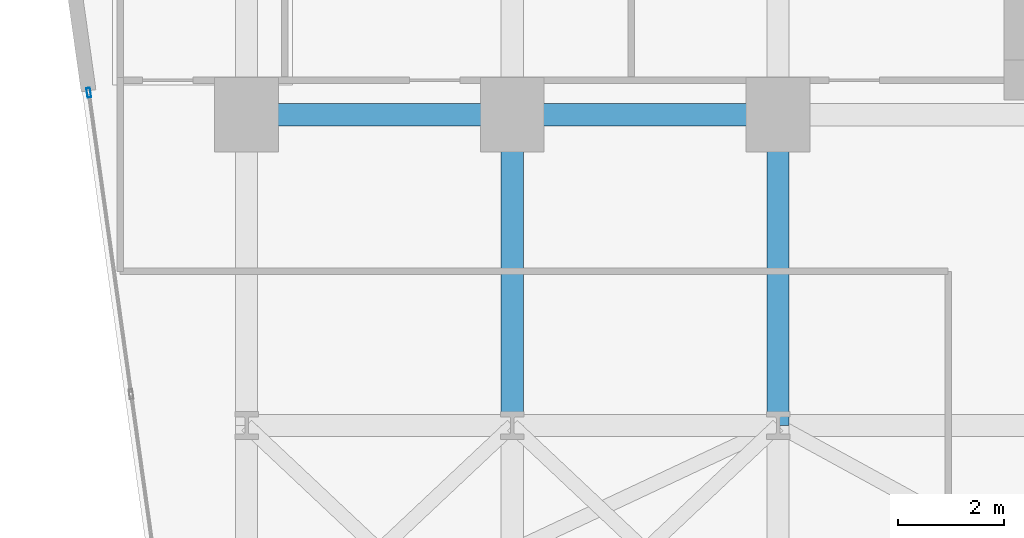
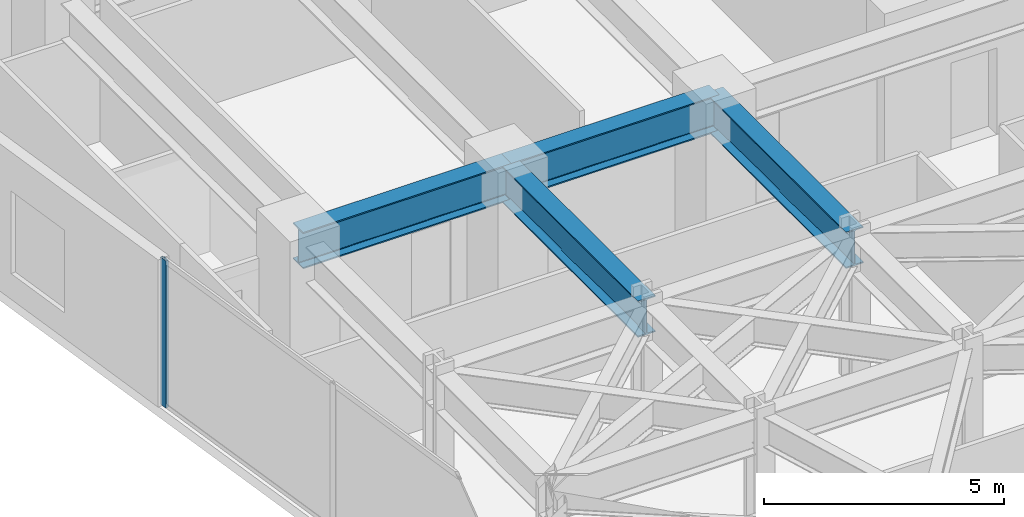
# One storey, part 17 of 24: 4 beams, 1 member, 1 element without a shape of its own.
"""IFC4 building model written with IfcOpenShell, lengths in metres."""

from ifc_helpers import new_model, si_unit, direction, frame, origin, origin_2d, place, context, subcontext, project, spatial, hollow_rectangle, i_section, extrude, material, layer, layer_set, material_profile, profile_set, type_object, element, aggregate, save


model = new_model("IFC4")

# Units and contexts
model_context = context("Model", 3, precision=1e-05, world=origin(), true_north=direction((0.0, 1.0)))
body_context = subcontext(model_context, "Body", "Model", "MODEL_VIEW")
ifc_project = project(units=[si_unit("LENGTHUNIT", "METRE"), si_unit("AREAUNIT", "SQUARE_METRE"), si_unit("VOLUMEUNIT", "CUBIC_METRE"), si_unit("PLANEANGLEUNIT", "RADIAN"), si_unit("MASSUNIT", "GRAM", prefix="KILO")], contexts=[model_context])

# Site, building, storey
site_placement = place(None, origin())
site = spatial("IfcSite", under=ifc_project, at=site_placement, CompositionType="ELEMENT")
building_placement = place(site_placement, origin())
building = spatial("IfcBuilding", under=site, at=building_placement, Name="Kravanh Interchange Tower", CompositionType="ELEMENT")
storey_placement = place(building_placement, frame((0.0, 0.0, 37.5)))
storey = spatial("IfcBuildingStorey", under=building, at=storey_placement, Name="L08", CompositionType="ELEMENT", Elevation=37.5)

# Curtain wall, member
ifc_material_1 = material(Name="Anodised Bronze Aluminium", Category="aluminium")
ifc_layer = layer(ifc_material_1, 0.179931640625)
ifc_layer_set = layer_set([ifc_layer], Name="Unitised Curtain Wall System CW-Z1 Lower Office")
curtain_wall_type = type_object("IfcCurtainWallType", Name="Unitised Curtain Wall System CW-Z1 Lower Office", PredefinedType="NOTDEFINED", material=ifc_layer_set)
curtain_wall_placement = place(storey_placement, origin())
curtain_wall = element("IfcCurtainWall", 1, at=curtain_wall_placement, inside=storey, type_object=curtain_wall_type, Name="L08 Unitised Curtain Wall CW-L08-01", PredefinedType="NOTDEFINED")
ifc_material_2 = material(Name="Anodised Bronze Aluminium", Category="aluminium")
ifc_material_profile_1 = material_profile(ifc_material_2, hollow_rectangle(XDim=0.070068359375, YDim=0.179931640625, WallThickness=0.00390625, at=origin_2d()), Name="ALU70X180X4")
ifc_profile_set_1 = profile_set([ifc_material_profile_1], Name="Anodised Bronze Aluminium")
member_type = type_object("IfcMemberType", Name="Curtain Wall Mullion ALU70X180X4 Bronze", PredefinedType="MULLION", material=ifc_profile_set_1)
member_placement = place(storey_placement, frame((5.6298828125, 37.765380859375, 0.0), z_axis=(0.0, 0.0, 1.0), x_axis=(-0.990267585682, -0.139176538065, 0.0)))
member = element("IfcMember", 2, at=member_placement, type_object=member_type, Name="CW-Z1 mullion 7", PredefinedType="MULLION", context=body_context, shape_type="SweptSolid", body=[
    extrude(hollow_rectangle(XDim=0.070068359375, YDim=0.179931640625, WallThickness=0.00390625, at=origin_2d()), origin(), (0.0, 0.0, 1.0), 3.739990234375),
])
aggregate(curtain_wall, [member])

# Beams
ifc_material_3 = material(Name="Structural Steel S355", Category="steel")
ifc_material_profile_2 = material_profile(ifc_material_3, i_section(OverallWidth=0.41796875, OverallDepth=0.927001953125, WebThickness=0.019287109375, FlangeThickness=0.031982421875, FilletRadius=0.028076171875, at=origin_2d()), Name="W36X231")
ifc_profile_set_2 = profile_set([ifc_material_profile_2], Name="Structural Steel S355")
beam_type = type_object("IfcBeamType", Name="Floor Beam W36X231 Structural Steel S355", PredefinedType="BEAM", material=ifc_profile_set_2)
beam_1_placement = place(storey_placement, frame((18.60009765625, 37.35009765625, 3.276611328125), z_axis=(-1.0, 0.0, 0.0), x_axis=(0.0, -1.0, 0.0)))
element("IfcBeam", 3, at=beam_1_placement, inside=storey, type_object=beam_type, Name="L08 Primary Floor Girder 28", PredefinedType="BEAM", context=body_context, shape_type="SweptSolid", body=[
    extrude(i_section(OverallWidth=0.41796875, OverallDepth=0.927001953125, WebThickness=0.019287109375, FlangeThickness=0.031982421875, FilletRadius=0.028076171875, at=origin_2d()), origin(), (0.0, 0.0, 1.0), 5.0),
])
beam_2_placement = place(storey_placement, frame((18.60009765625, 37.35009765625, 3.276611328125), z_axis=(0.0, -1.0, 0.0), x_axis=(1.0, 0.0, 0.0)))
element("IfcBeam", 4, at=beam_2_placement, inside=storey, type_object=beam_type, Name="L08 Primary Floor Girder 29", PredefinedType="BEAM", context=body_context, shape_type="SweptSolid", body=[
    extrude(i_section(OverallWidth=0.41796875, OverallDepth=0.927001953125, WebThickness=0.019287109375, FlangeThickness=0.031982421875, FilletRadius=0.028076171875, at=origin_2d()), origin(), (0.0, 0.0, 1.0), 5.85009765625),
])
beam_3_placement = place(storey_placement, frame((13.60009765625, 37.35009765625, 3.276611328125), z_axis=(-1.0, 0.0, 0.0), x_axis=(0.0, -1.0, 0.0)))
element("IfcBeam", 5, at=beam_3_placement, inside=storey, type_object=beam_type, Name="L08 Primary Floor Girder 32", PredefinedType="BEAM", context=body_context, shape_type="SweptSolid", body=[
    extrude(i_section(OverallWidth=0.41796875, OverallDepth=0.927001953125, WebThickness=0.019287109375, FlangeThickness=0.031982421875, FilletRadius=0.028076171875, at=origin_2d()), origin(), (0.0, 0.0, 1.0), 5.0),
])
beam_4_placement = place(storey_placement, frame((13.60009765625, 37.35009765625, 3.276611328125), z_axis=(0.0, -1.0, 0.0), x_axis=(1.0, 0.0, 0.0)))
element("IfcBeam", 6, at=beam_4_placement, inside=storey, type_object=beam_type, Name="L08 Primary Floor Girder 33", PredefinedType="BEAM", context=body_context, shape_type="SweptSolid", body=[
    extrude(i_section(OverallWidth=0.41796875, OverallDepth=0.927001953125, WebThickness=0.019287109375, FlangeThickness=0.031982421875, FilletRadius=0.028076171875, at=origin_2d()), origin(), (0.0, 0.0, 1.0), 5.85009765625),
])

save(model, "model.ifc")
